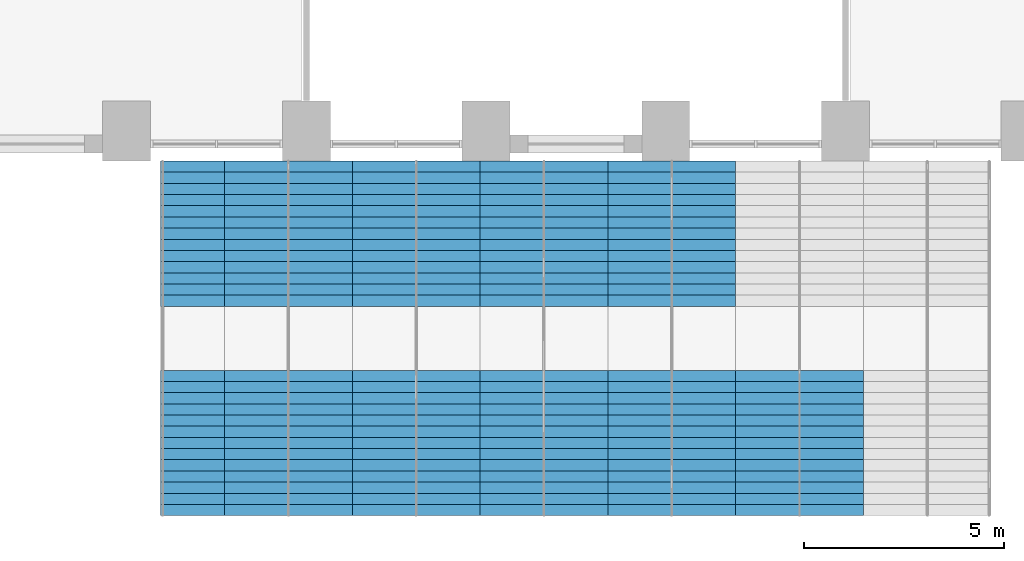
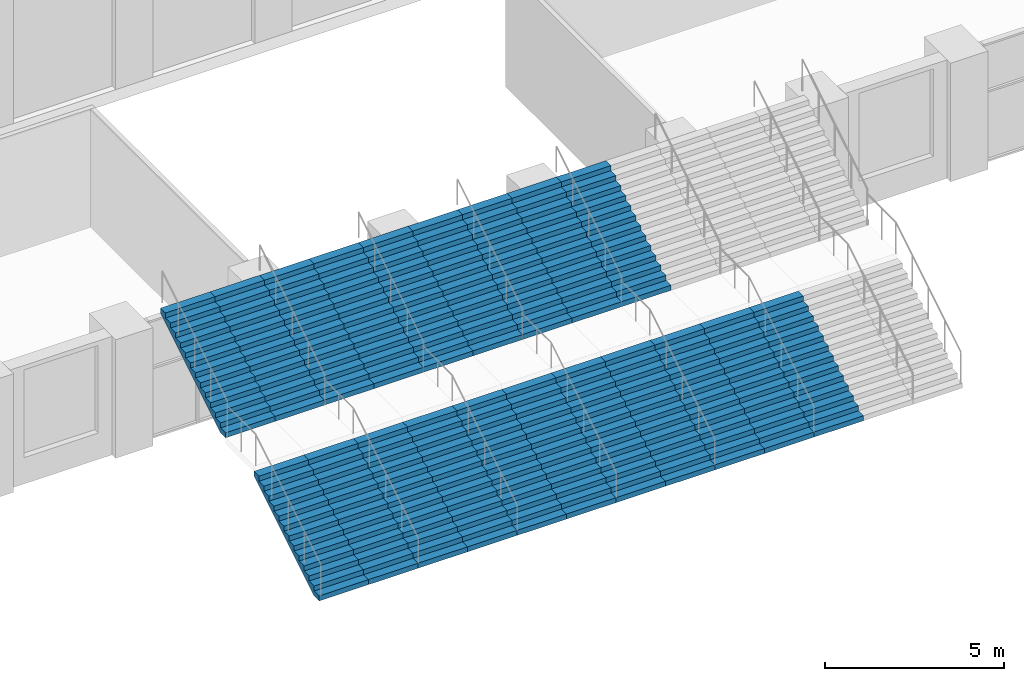
# One storey, part 29 of 42: 20 stair flights, 11 elements without a shape of their own.
"""IFC4 building model written with IfcOpenShell, lengths in metres."""

from ifc_helpers import new_model, si_unit, direction, frame, origin, place, context, subcontext, project, spatial, polyline, outline, extrude, material, type_object, element, aggregate, save


model = new_model("IFC4")

# Units and contexts
model_context = context("Model", 3, precision=1e-05, world=origin(), true_north=direction((0.0, 1.0)))
body_context = subcontext(model_context, "Body", "Model", "MODEL_VIEW")
ifc_project = project(units=[si_unit("LENGTHUNIT", "METRE"), si_unit("AREAUNIT", "SQUARE_METRE"), si_unit("VOLUMEUNIT", "CUBIC_METRE"), si_unit("PLANEANGLEUNIT", "RADIAN"), si_unit("MASSUNIT", "GRAM", prefix="KILO")], contexts=[model_context])

# Site, building, storey
site_placement = place(None, origin())
site = spatial("IfcSite", under=ifc_project, at=site_placement, CompositionType="ELEMENT")
building_placement = place(site_placement, origin())
building = spatial("IfcBuilding", under=site, at=building_placement, Name="Dhurran Vertical Campus", CompositionType="ELEMENT")
storey_placement = place(building_placement, frame((0.0, 0.0, 6.0)))
storey = spatial("IfcBuildingStorey", under=building, at=storey_placement, Name="L01", CompositionType="ELEMENT", Elevation=6.0)

# Stair, stair flights
ifc_material_1 = material(Name="Concrete C40/50", Category="concrete")
stair_type = type_object("IfcStairType", Name="st-broad stair straight 3 flights", PredefinedType="STRAIGHT_RUN_STAIR", material=ifc_material_1)
stair_1_placement = place(storey_placement, origin())
stair_1 = element("IfcStair", 1, at=stair_1_placement, inside=storey, type_object=stair_type, Name="Broad stair DS2-01 to the raised garden", PredefinedType="STRAIGHT_RUN_STAIR")
ifc_material_2 = material(Name="Concrete C40/50", Category="concrete")
stair_flight_type = type_object("IfcStairFlightType", Name="st-broad stair flight", PredefinedType="STRAIGHT", material=ifc_material_2)
stair_flight_1_placement = place(storey_placement, frame((-9.60009765625, -56.248291015625, 0.0), z_axis=(0.0, 0.0, 1.0), x_axis=(0.0, 1.0, 0.0)))
stair_flight_1 = element("IfcStairFlight", 2, at=stair_flight_1_placement, type_object=stair_flight_type, Name="DS2-01 flight 1", NumberOfRisers=14, NumberOfTreads=13, PredefinedType="STRAIGHT", RiserHeight=0.171428571, TreadLength=0.28, context=body_context, shape_type="SweptSolid", body=[
    extrude(outline(polyline([(0.0, 0.0), (0.0, 0.17138671875), (0.280029296875, 0.17138671875), (0.280029296875, 0.3427734375), (0.56005859375, 0.3427734375), (0.56005859375, 0.514404296875), (0.840087890625, 0.514404296875), (0.840087890625, 0.685791015625), (1.1201171875, 0.685791015625), (1.1201171875, 0.857177734375), (1.39990234375, 0.857177734375), (1.39990234375, 1.028564453125), (1.679931640625, 1.028564453125), (1.679931640625, 1.199951171875), (1.9599609375, 1.199951171875), (1.9599609375, 1.371337890625), (2.239990234375, 1.371337890625), (2.239990234375, 1.54296875), (2.52001953125, 1.54296875), (2.52001953125, 1.71435546875), (2.800048828125, 1.71435546875), (2.800048828125, 1.8857421875), (3.080078125, 1.8857421875), (3.080078125, 2.05712890625), (3.360107421875, 2.05712890625), (3.360107421875, 2.228515625), (3.639892578125, 2.228515625), (3.639892578125, 2.39990234375), (3.639892578125, 2.052734375), (0.287109375, 0.0), (0.0, 0.0)])), frame((0.0, 0.800048828125, 0.0), z_axis=(0.0, -1.0, 0.0), x_axis=(1.0, 0.0, 0.0)), (0.0, 0.0, 1.0), 1.60009765625),
])
stair_flight_2_placement = place(storey_placement, frame((-9.60009765625, -51.00830078125, 2.39990234375), z_axis=(0.0, 0.0, 1.0), x_axis=(0.0, 1.0, 0.0)))
stair_flight_2 = element("IfcStairFlight", 3, at=stair_flight_2_placement, type_object=stair_flight_type, Name="DS2-01 flight 2", NumberOfRisers=14, NumberOfTreads=13, PredefinedType="STRAIGHT", RiserHeight=0.171428571, TreadLength=0.28, context=body_context, shape_type="SweptSolid", body=[
    extrude(outline(polyline([(0.0, 0.0), (0.0, 0.17138671875), (0.280029296875, 0.17138671875), (0.280029296875, 0.3427734375), (0.56005859375, 0.3427734375), (0.56005859375, 0.514404296875), (0.840087890625, 0.514404296875), (0.840087890625, 0.685791015625), (1.1201171875, 0.685791015625), (1.1201171875, 0.857177734375), (1.39990234375, 0.857177734375), (1.39990234375, 1.028564453125), (1.679931640625, 1.028564453125), (1.679931640625, 1.199951171875), (1.9599609375, 1.199951171875), (1.9599609375, 1.371337890625), (2.239990234375, 1.371337890625), (2.239990234375, 1.54296875), (2.52001953125, 1.54296875), (2.52001953125, 1.71435546875), (2.800048828125, 1.71435546875), (2.800048828125, 1.8857421875), (3.080078125, 1.8857421875), (3.080078125, 2.05712890625), (3.360107421875, 2.05712890625), (3.360107421875, 2.228515625), (3.639892578125, 2.228515625), (3.639892578125, 2.39990234375), (3.639892578125, 2.052734375), (0.287109375, 0.0), (0.0, 0.0)])), frame((0.0, 0.800048828125, 0.0), z_axis=(0.0, -1.0, 0.0), x_axis=(1.0, 0.0, 0.0)), (0.0, 0.0, 1.0), 1.60009765625),
])
aggregate(stair_1, [stair_flight_1, stair_flight_2])

stair_2_placement = place(storey_placement, origin())
stair_2 = element("IfcStair", 4, at=stair_2_placement, inside=storey, type_object=stair_type, Name="Broad stair DS2-02 to the raised garden", PredefinedType="STRAIGHT_RUN_STAIR")
stair_flight_3_placement = place(storey_placement, frame((-8.0, -56.248291015625, 0.0), z_axis=(0.0, 0.0, 1.0), x_axis=(0.0, 1.0, 0.0)))
stair_flight_3 = element("IfcStairFlight", 5, at=stair_flight_3_placement, type_object=stair_flight_type, Name="DS2-02 flight 1", NumberOfRisers=14, NumberOfTreads=13, PredefinedType="STRAIGHT", RiserHeight=0.171428571, TreadLength=0.28, context=body_context, shape_type="SweptSolid", body=[
    extrude(outline(polyline([(0.0, 0.0), (0.0, 0.17138671875), (0.280029296875, 0.17138671875), (0.280029296875, 0.3427734375), (0.56005859375, 0.3427734375), (0.56005859375, 0.514404296875), (0.840087890625, 0.514404296875), (0.840087890625, 0.685791015625), (1.1201171875, 0.685791015625), (1.1201171875, 0.857177734375), (1.39990234375, 0.857177734375), (1.39990234375, 1.028564453125), (1.679931640625, 1.028564453125), (1.679931640625, 1.199951171875), (1.9599609375, 1.199951171875), (1.9599609375, 1.371337890625), (2.239990234375, 1.371337890625), (2.239990234375, 1.54296875), (2.52001953125, 1.54296875), (2.52001953125, 1.71435546875), (2.800048828125, 1.71435546875), (2.800048828125, 1.8857421875), (3.080078125, 1.8857421875), (3.080078125, 2.05712890625), (3.360107421875, 2.05712890625), (3.360107421875, 2.228515625), (3.639892578125, 2.228515625), (3.639892578125, 2.39990234375), (3.639892578125, 2.052734375), (0.287109375, 0.0), (0.0, 0.0)])), frame((0.0, 0.800048828125, 0.0), z_axis=(0.0, -1.0, 0.0), x_axis=(1.0, 0.0, 0.0)), (0.0, 0.0, 1.0), 1.60009765625),
])
stair_flight_4_placement = place(storey_placement, frame((-8.0, -51.00830078125, 2.39990234375), z_axis=(0.0, 0.0, 1.0), x_axis=(0.0, 1.0, 0.0)))
stair_flight_4 = element("IfcStairFlight", 6, at=stair_flight_4_placement, type_object=stair_flight_type, Name="DS2-02 flight 2", NumberOfRisers=14, NumberOfTreads=13, PredefinedType="STRAIGHT", RiserHeight=0.171428571, TreadLength=0.28, context=body_context, shape_type="SweptSolid", body=[
    extrude(outline(polyline([(0.0, 0.0), (0.0, 0.17138671875), (0.280029296875, 0.17138671875), (0.280029296875, 0.3427734375), (0.56005859375, 0.3427734375), (0.56005859375, 0.514404296875), (0.840087890625, 0.514404296875), (0.840087890625, 0.685791015625), (1.1201171875, 0.685791015625), (1.1201171875, 0.857177734375), (1.39990234375, 0.857177734375), (1.39990234375, 1.028564453125), (1.679931640625, 1.028564453125), (1.679931640625, 1.199951171875), (1.9599609375, 1.199951171875), (1.9599609375, 1.371337890625), (2.239990234375, 1.371337890625), (2.239990234375, 1.54296875), (2.52001953125, 1.54296875), (2.52001953125, 1.71435546875), (2.800048828125, 1.71435546875), (2.800048828125, 1.8857421875), (3.080078125, 1.8857421875), (3.080078125, 2.05712890625), (3.360107421875, 2.05712890625), (3.360107421875, 2.228515625), (3.639892578125, 2.228515625), (3.639892578125, 2.39990234375), (3.639892578125, 2.052734375), (0.287109375, 0.0), (0.0, 0.0)])), frame((0.0, 0.800048828125, 0.0), z_axis=(0.0, -1.0, 0.0), x_axis=(1.0, 0.0, 0.0)), (0.0, 0.0, 1.0), 1.60009765625),
])
aggregate(stair_2, [stair_flight_3, stair_flight_4])

stair_3_placement = place(storey_placement, origin())
stair_3 = element("IfcStair", 7, at=stair_3_placement, inside=storey, type_object=stair_type, Name="Broad stair DS2-03 to the raised garden", PredefinedType="STRAIGHT_RUN_STAIR")
stair_flight_5_placement = place(storey_placement, frame((-6.39990234375, -56.248291015625, 0.0), z_axis=(0.0, 0.0, 1.0), x_axis=(0.0, 1.0, 0.0)))
stair_flight_5 = element("IfcStairFlight", 8, at=stair_flight_5_placement, type_object=stair_flight_type, Name="DS2-03 flight 1", NumberOfRisers=14, NumberOfTreads=13, PredefinedType="STRAIGHT", RiserHeight=0.171428571, TreadLength=0.28, context=body_context, shape_type="SweptSolid", body=[
    extrude(outline(polyline([(0.0, 0.0), (0.0, 0.17138671875), (0.280029296875, 0.17138671875), (0.280029296875, 0.3427734375), (0.56005859375, 0.3427734375), (0.56005859375, 0.514404296875), (0.840087890625, 0.514404296875), (0.840087890625, 0.685791015625), (1.1201171875, 0.685791015625), (1.1201171875, 0.857177734375), (1.39990234375, 0.857177734375), (1.39990234375, 1.028564453125), (1.679931640625, 1.028564453125), (1.679931640625, 1.199951171875), (1.9599609375, 1.199951171875), (1.9599609375, 1.371337890625), (2.239990234375, 1.371337890625), (2.239990234375, 1.54296875), (2.52001953125, 1.54296875), (2.52001953125, 1.71435546875), (2.800048828125, 1.71435546875), (2.800048828125, 1.8857421875), (3.080078125, 1.8857421875), (3.080078125, 2.05712890625), (3.360107421875, 2.05712890625), (3.360107421875, 2.228515625), (3.639892578125, 2.228515625), (3.639892578125, 2.39990234375), (3.639892578125, 2.052734375), (0.287109375, 0.0), (0.0, 0.0)])), frame((0.0, 0.800048828125, 0.0), z_axis=(0.0, -1.0, 0.0), x_axis=(1.0, 0.0, 0.0)), (0.0, 0.0, 1.0), 1.60009765625),
])
stair_flight_6_placement = place(storey_placement, frame((-6.39990234375, -51.00830078125, 2.39990234375), z_axis=(0.0, 0.0, 1.0), x_axis=(0.0, 1.0, 0.0)))
stair_flight_6 = element("IfcStairFlight", 9, at=stair_flight_6_placement, type_object=stair_flight_type, Name="DS2-03 flight 2", NumberOfRisers=14, NumberOfTreads=13, PredefinedType="STRAIGHT", RiserHeight=0.171428571, TreadLength=0.28, context=body_context, shape_type="SweptSolid", body=[
    extrude(outline(polyline([(0.0, 0.0), (0.0, 0.17138671875), (0.280029296875, 0.17138671875), (0.280029296875, 0.3427734375), (0.56005859375, 0.3427734375), (0.56005859375, 0.514404296875), (0.840087890625, 0.514404296875), (0.840087890625, 0.685791015625), (1.1201171875, 0.685791015625), (1.1201171875, 0.857177734375), (1.39990234375, 0.857177734375), (1.39990234375, 1.028564453125), (1.679931640625, 1.028564453125), (1.679931640625, 1.199951171875), (1.9599609375, 1.199951171875), (1.9599609375, 1.371337890625), (2.239990234375, 1.371337890625), (2.239990234375, 1.54296875), (2.52001953125, 1.54296875), (2.52001953125, 1.71435546875), (2.800048828125, 1.71435546875), (2.800048828125, 1.8857421875), (3.080078125, 1.8857421875), (3.080078125, 2.05712890625), (3.360107421875, 2.05712890625), (3.360107421875, 2.228515625), (3.639892578125, 2.228515625), (3.639892578125, 2.39990234375), (3.639892578125, 2.052734375), (0.287109375, 0.0), (0.0, 0.0)])), frame((0.0, 0.800048828125, 0.0), z_axis=(0.0, -1.0, 0.0), x_axis=(1.0, 0.0, 0.0)), (0.0, 0.0, 1.0), 1.60009765625),
])
aggregate(stair_3, [stair_flight_5, stair_flight_6])

stair_4_placement = place(storey_placement, origin())
stair_4 = element("IfcStair", 10, at=stair_4_placement, inside=storey, type_object=stair_type, Name="Broad stair DS2-04 to the raised garden", PredefinedType="STRAIGHT_RUN_STAIR")
stair_flight_7_placement = place(storey_placement, frame((-4.800048828125, -56.248291015625, 0.0), z_axis=(0.0, 0.0, 1.0), x_axis=(0.0, 1.0, 0.0)))
stair_flight_7 = element("IfcStairFlight", 11, at=stair_flight_7_placement, type_object=stair_flight_type, Name="DS2-04 flight 1", NumberOfRisers=14, NumberOfTreads=13, PredefinedType="STRAIGHT", RiserHeight=0.171428571, TreadLength=0.28, context=body_context, shape_type="SweptSolid", body=[
    extrude(outline(polyline([(0.0, 0.0), (0.0, 0.17138671875), (0.280029296875, 0.17138671875), (0.280029296875, 0.3427734375), (0.56005859375, 0.3427734375), (0.56005859375, 0.514404296875), (0.840087890625, 0.514404296875), (0.840087890625, 0.685791015625), (1.1201171875, 0.685791015625), (1.1201171875, 0.857177734375), (1.39990234375, 0.857177734375), (1.39990234375, 1.028564453125), (1.679931640625, 1.028564453125), (1.679931640625, 1.199951171875), (1.9599609375, 1.199951171875), (1.9599609375, 1.371337890625), (2.239990234375, 1.371337890625), (2.239990234375, 1.54296875), (2.52001953125, 1.54296875), (2.52001953125, 1.71435546875), (2.800048828125, 1.71435546875), (2.800048828125, 1.8857421875), (3.080078125, 1.8857421875), (3.080078125, 2.05712890625), (3.360107421875, 2.05712890625), (3.360107421875, 2.228515625), (3.639892578125, 2.228515625), (3.639892578125, 2.39990234375), (3.639892578125, 2.052734375), (0.287109375, 0.0), (0.0, 0.0)])), frame((0.0, 0.800048828125, 0.0), z_axis=(0.0, -1.0, 0.0), x_axis=(1.0, 0.0, 0.0)), (0.0, 0.0, 1.0), 1.60009765625),
])
stair_flight_8_placement = place(storey_placement, frame((-4.800048828125, -51.00830078125, 2.39990234375), z_axis=(0.0, 0.0, 1.0), x_axis=(0.0, 1.0, 0.0)))
stair_flight_8 = element("IfcStairFlight", 12, at=stair_flight_8_placement, type_object=stair_flight_type, Name="DS2-04 flight 2", NumberOfRisers=14, NumberOfTreads=13, PredefinedType="STRAIGHT", RiserHeight=0.171428571, TreadLength=0.28, context=body_context, shape_type="SweptSolid", body=[
    extrude(outline(polyline([(0.0, 0.0), (0.0, 0.17138671875), (0.280029296875, 0.17138671875), (0.280029296875, 0.3427734375), (0.56005859375, 0.3427734375), (0.56005859375, 0.514404296875), (0.840087890625, 0.514404296875), (0.840087890625, 0.685791015625), (1.1201171875, 0.685791015625), (1.1201171875, 0.857177734375), (1.39990234375, 0.857177734375), (1.39990234375, 1.028564453125), (1.679931640625, 1.028564453125), (1.679931640625, 1.199951171875), (1.9599609375, 1.199951171875), (1.9599609375, 1.371337890625), (2.239990234375, 1.371337890625), (2.239990234375, 1.54296875), (2.52001953125, 1.54296875), (2.52001953125, 1.71435546875), (2.800048828125, 1.71435546875), (2.800048828125, 1.8857421875), (3.080078125, 1.8857421875), (3.080078125, 2.05712890625), (3.360107421875, 2.05712890625), (3.360107421875, 2.228515625), (3.639892578125, 2.228515625), (3.639892578125, 2.39990234375), (3.639892578125, 2.052734375), (0.287109375, 0.0), (0.0, 0.0)])), frame((0.0, 0.800048828125, 0.0), z_axis=(0.0, -1.0, 0.0), x_axis=(1.0, 0.0, 0.0)), (0.0, 0.0, 1.0), 1.60009765625),
])
aggregate(stair_4, [stair_flight_7, stair_flight_8])

stair_5_placement = place(storey_placement, origin())
stair_5 = element("IfcStair", 13, at=stair_5_placement, inside=storey, type_object=stair_type, Name="Broad stair DS2-05 to the raised garden", PredefinedType="STRAIGHT_RUN_STAIR")
stair_flight_9_placement = place(storey_placement, frame((-3.199951171875, -56.248291015625, 0.0), z_axis=(0.0, 0.0, 1.0), x_axis=(0.0, 1.0, 0.0)))
stair_flight_9 = element("IfcStairFlight", 14, at=stair_flight_9_placement, type_object=stair_flight_type, Name="DS2-05 flight 1", NumberOfRisers=14, NumberOfTreads=13, PredefinedType="STRAIGHT", RiserHeight=0.171428571, TreadLength=0.28, context=body_context, shape_type="SweptSolid", body=[
    extrude(outline(polyline([(0.0, 0.0), (0.0, 0.17138671875), (0.280029296875, 0.17138671875), (0.280029296875, 0.3427734375), (0.56005859375, 0.3427734375), (0.56005859375, 0.514404296875), (0.840087890625, 0.514404296875), (0.840087890625, 0.685791015625), (1.1201171875, 0.685791015625), (1.1201171875, 0.857177734375), (1.39990234375, 0.857177734375), (1.39990234375, 1.028564453125), (1.679931640625, 1.028564453125), (1.679931640625, 1.199951171875), (1.9599609375, 1.199951171875), (1.9599609375, 1.371337890625), (2.239990234375, 1.371337890625), (2.239990234375, 1.54296875), (2.52001953125, 1.54296875), (2.52001953125, 1.71435546875), (2.800048828125, 1.71435546875), (2.800048828125, 1.8857421875), (3.080078125, 1.8857421875), (3.080078125, 2.05712890625), (3.360107421875, 2.05712890625), (3.360107421875, 2.228515625), (3.639892578125, 2.228515625), (3.639892578125, 2.39990234375), (3.639892578125, 2.052734375), (0.287109375, 0.0), (0.0, 0.0)])), frame((0.0, 0.800048828125, 0.0), z_axis=(0.0, -1.0, 0.0), x_axis=(1.0, 0.0, 0.0)), (0.0, 0.0, 1.0), 1.60009765625),
])
stair_flight_10_placement = place(storey_placement, frame((-3.199951171875, -51.00830078125, 2.39990234375), z_axis=(0.0, 0.0, 1.0), x_axis=(0.0, 1.0, 0.0)))
stair_flight_10 = element("IfcStairFlight", 15, at=stair_flight_10_placement, type_object=stair_flight_type, Name="DS2-05 flight 2", NumberOfRisers=14, NumberOfTreads=13, PredefinedType="STRAIGHT", RiserHeight=0.171428571, TreadLength=0.28, context=body_context, shape_type="SweptSolid", body=[
    extrude(outline(polyline([(0.0, 0.0), (0.0, 0.17138671875), (0.280029296875, 0.17138671875), (0.280029296875, 0.3427734375), (0.56005859375, 0.3427734375), (0.56005859375, 0.514404296875), (0.840087890625, 0.514404296875), (0.840087890625, 0.685791015625), (1.1201171875, 0.685791015625), (1.1201171875, 0.857177734375), (1.39990234375, 0.857177734375), (1.39990234375, 1.028564453125), (1.679931640625, 1.028564453125), (1.679931640625, 1.199951171875), (1.9599609375, 1.199951171875), (1.9599609375, 1.371337890625), (2.239990234375, 1.371337890625), (2.239990234375, 1.54296875), (2.52001953125, 1.54296875), (2.52001953125, 1.71435546875), (2.800048828125, 1.71435546875), (2.800048828125, 1.8857421875), (3.080078125, 1.8857421875), (3.080078125, 2.05712890625), (3.360107421875, 2.05712890625), (3.360107421875, 2.228515625), (3.639892578125, 2.228515625), (3.639892578125, 2.39990234375), (3.639892578125, 2.052734375), (0.287109375, 0.0), (0.0, 0.0)])), frame((0.0, 0.800048828125, 0.0), z_axis=(0.0, -1.0, 0.0), x_axis=(1.0, 0.0, 0.0)), (0.0, 0.0, 1.0), 1.60009765625),
])
aggregate(stair_5, [stair_flight_9, stair_flight_10])

stair_6_placement = place(storey_placement, origin())
stair_6 = element("IfcStair", 16, at=stair_6_placement, inside=storey, type_object=stair_type, Name="Broad stair DS2-06 to the raised garden", PredefinedType="STRAIGHT_RUN_STAIR")
stair_flight_11_placement = place(storey_placement, frame((-1.60009765625, -56.248291015625, 0.0), z_axis=(0.0, 0.0, 1.0), x_axis=(0.0, 1.0, 0.0)))
stair_flight_11 = element("IfcStairFlight", 17, at=stair_flight_11_placement, type_object=stair_flight_type, Name="DS2-06 flight 1", NumberOfRisers=14, NumberOfTreads=13, PredefinedType="STRAIGHT", RiserHeight=0.171428571, TreadLength=0.28, context=body_context, shape_type="SweptSolid", body=[
    extrude(outline(polyline([(0.0, 0.0), (0.0, 0.17138671875), (0.280029296875, 0.17138671875), (0.280029296875, 0.3427734375), (0.56005859375, 0.3427734375), (0.56005859375, 0.514404296875), (0.840087890625, 0.514404296875), (0.840087890625, 0.685791015625), (1.1201171875, 0.685791015625), (1.1201171875, 0.857177734375), (1.39990234375, 0.857177734375), (1.39990234375, 1.028564453125), (1.679931640625, 1.028564453125), (1.679931640625, 1.199951171875), (1.9599609375, 1.199951171875), (1.9599609375, 1.371337890625), (2.239990234375, 1.371337890625), (2.239990234375, 1.54296875), (2.52001953125, 1.54296875), (2.52001953125, 1.71435546875), (2.800048828125, 1.71435546875), (2.800048828125, 1.8857421875), (3.080078125, 1.8857421875), (3.080078125, 2.05712890625), (3.360107421875, 2.05712890625), (3.360107421875, 2.228515625), (3.639892578125, 2.228515625), (3.639892578125, 2.39990234375), (3.639892578125, 2.052734375), (0.287109375, 0.0), (0.0, 0.0)])), frame((0.0, 0.800048828125, 0.0), z_axis=(0.0, -1.0, 0.0), x_axis=(1.0, 0.0, 0.0)), (0.0, 0.0, 1.0), 1.60009765625),
])
stair_flight_12_placement = place(storey_placement, frame((-1.60009765625, -51.00830078125, 2.39990234375), z_axis=(0.0, 0.0, 1.0), x_axis=(0.0, 1.0, 0.0)))
stair_flight_12 = element("IfcStairFlight", 18, at=stair_flight_12_placement, type_object=stair_flight_type, Name="DS2-06 flight 2", NumberOfRisers=14, NumberOfTreads=13, PredefinedType="STRAIGHT", RiserHeight=0.171428571, TreadLength=0.28, context=body_context, shape_type="SweptSolid", body=[
    extrude(outline(polyline([(0.0, 0.0), (0.0, 0.17138671875), (0.280029296875, 0.17138671875), (0.280029296875, 0.3427734375), (0.56005859375, 0.3427734375), (0.56005859375, 0.514404296875), (0.840087890625, 0.514404296875), (0.840087890625, 0.685791015625), (1.1201171875, 0.685791015625), (1.1201171875, 0.857177734375), (1.39990234375, 0.857177734375), (1.39990234375, 1.028564453125), (1.679931640625, 1.028564453125), (1.679931640625, 1.199951171875), (1.9599609375, 1.199951171875), (1.9599609375, 1.371337890625), (2.239990234375, 1.371337890625), (2.239990234375, 1.54296875), (2.52001953125, 1.54296875), (2.52001953125, 1.71435546875), (2.800048828125, 1.71435546875), (2.800048828125, 1.8857421875), (3.080078125, 1.8857421875), (3.080078125, 2.05712890625), (3.360107421875, 2.05712890625), (3.360107421875, 2.228515625), (3.639892578125, 2.228515625), (3.639892578125, 2.39990234375), (3.639892578125, 2.052734375), (0.287109375, 0.0), (0.0, 0.0)])), frame((0.0, 0.800048828125, 0.0), z_axis=(0.0, -1.0, 0.0), x_axis=(1.0, 0.0, 0.0)), (0.0, 0.0, 1.0), 1.60009765625),
])
aggregate(stair_6, [stair_flight_11, stair_flight_12])

stair_7_placement = place(storey_placement, origin())
stair_7 = element("IfcStair", 19, at=stair_7_placement, inside=storey, type_object=stair_type, Name="Broad stair DS2-07 to the raised garden", PredefinedType="STRAIGHT_RUN_STAIR")
stair_flight_13_placement = place(storey_placement, frame((0.0, -56.248291015625, 0.0), z_axis=(0.0, 0.0, 1.0), x_axis=(0.0, 1.0, 0.0)))
stair_flight_13 = element("IfcStairFlight", 20, at=stair_flight_13_placement, type_object=stair_flight_type, Name="DS2-07 flight 1", NumberOfRisers=14, NumberOfTreads=13, PredefinedType="STRAIGHT", RiserHeight=0.171428571, TreadLength=0.28, context=body_context, shape_type="SweptSolid", body=[
    extrude(outline(polyline([(0.0, 0.0), (0.0, 0.17138671875), (0.280029296875, 0.17138671875), (0.280029296875, 0.3427734375), (0.56005859375, 0.3427734375), (0.56005859375, 0.514404296875), (0.840087890625, 0.514404296875), (0.840087890625, 0.685791015625), (1.1201171875, 0.685791015625), (1.1201171875, 0.857177734375), (1.39990234375, 0.857177734375), (1.39990234375, 1.028564453125), (1.679931640625, 1.028564453125), (1.679931640625, 1.199951171875), (1.9599609375, 1.199951171875), (1.9599609375, 1.371337890625), (2.239990234375, 1.371337890625), (2.239990234375, 1.54296875), (2.52001953125, 1.54296875), (2.52001953125, 1.71435546875), (2.800048828125, 1.71435546875), (2.800048828125, 1.8857421875), (3.080078125, 1.8857421875), (3.080078125, 2.05712890625), (3.360107421875, 2.05712890625), (3.360107421875, 2.228515625), (3.639892578125, 2.228515625), (3.639892578125, 2.39990234375), (3.639892578125, 2.052734375), (0.287109375, 0.0), (0.0, 0.0)])), frame((0.0, 0.800048828125, 0.0), z_axis=(0.0, -1.0, 0.0), x_axis=(1.0, 0.0, 0.0)), (0.0, 0.0, 1.0), 1.60009765625),
])
stair_flight_14_placement = place(storey_placement, frame((0.0, -51.00830078125, 2.39990234375), z_axis=(0.0, 0.0, 1.0), x_axis=(0.0, 1.0, 0.0)))
stair_flight_14 = element("IfcStairFlight", 21, at=stair_flight_14_placement, type_object=stair_flight_type, Name="DS2-07 flight 2", NumberOfRisers=14, NumberOfTreads=13, PredefinedType="STRAIGHT", RiserHeight=0.171428571, TreadLength=0.28, context=body_context, shape_type="SweptSolid", body=[
    extrude(outline(polyline([(0.0, 0.0), (0.0, 0.17138671875), (0.280029296875, 0.17138671875), (0.280029296875, 0.3427734375), (0.56005859375, 0.3427734375), (0.56005859375, 0.514404296875), (0.840087890625, 0.514404296875), (0.840087890625, 0.685791015625), (1.1201171875, 0.685791015625), (1.1201171875, 0.857177734375), (1.39990234375, 0.857177734375), (1.39990234375, 1.028564453125), (1.679931640625, 1.028564453125), (1.679931640625, 1.199951171875), (1.9599609375, 1.199951171875), (1.9599609375, 1.371337890625), (2.239990234375, 1.371337890625), (2.239990234375, 1.54296875), (2.52001953125, 1.54296875), (2.52001953125, 1.71435546875), (2.800048828125, 1.71435546875), (2.800048828125, 1.8857421875), (3.080078125, 1.8857421875), (3.080078125, 2.05712890625), (3.360107421875, 2.05712890625), (3.360107421875, 2.228515625), (3.639892578125, 2.228515625), (3.639892578125, 2.39990234375), (3.639892578125, 2.052734375), (0.287109375, 0.0), (0.0, 0.0)])), frame((0.0, 0.800048828125, 0.0), z_axis=(0.0, -1.0, 0.0), x_axis=(1.0, 0.0, 0.0)), (0.0, 0.0, 1.0), 1.60009765625),
])
aggregate(stair_7, [stair_flight_13, stair_flight_14])

stair_8_placement = place(storey_placement, origin())
stair_8 = element("IfcStair", 22, at=stair_8_placement, inside=storey, type_object=stair_type, Name="Broad stair DS2-08 to the raised garden", PredefinedType="STRAIGHT_RUN_STAIR")
stair_flight_15_placement = place(storey_placement, frame((1.60009765625, -56.248291015625, 0.0), z_axis=(0.0, 0.0, 1.0), x_axis=(0.0, 1.0, 0.0)))
stair_flight_15 = element("IfcStairFlight", 23, at=stair_flight_15_placement, type_object=stair_flight_type, Name="DS2-08 flight 1", NumberOfRisers=14, NumberOfTreads=13, PredefinedType="STRAIGHT", RiserHeight=0.171428571, TreadLength=0.28, context=body_context, shape_type="SweptSolid", body=[
    extrude(outline(polyline([(0.0, 0.0), (0.0, 0.17138671875), (0.280029296875, 0.17138671875), (0.280029296875, 0.3427734375), (0.56005859375, 0.3427734375), (0.56005859375, 0.514404296875), (0.840087890625, 0.514404296875), (0.840087890625, 0.685791015625), (1.1201171875, 0.685791015625), (1.1201171875, 0.857177734375), (1.39990234375, 0.857177734375), (1.39990234375, 1.028564453125), (1.679931640625, 1.028564453125), (1.679931640625, 1.199951171875), (1.9599609375, 1.199951171875), (1.9599609375, 1.371337890625), (2.239990234375, 1.371337890625), (2.239990234375, 1.54296875), (2.52001953125, 1.54296875), (2.52001953125, 1.71435546875), (2.800048828125, 1.71435546875), (2.800048828125, 1.8857421875), (3.080078125, 1.8857421875), (3.080078125, 2.05712890625), (3.360107421875, 2.05712890625), (3.360107421875, 2.228515625), (3.639892578125, 2.228515625), (3.639892578125, 2.39990234375), (3.639892578125, 2.052734375), (0.287109375, 0.0), (0.0, 0.0)])), frame((0.0, 0.800048828125, 0.0), z_axis=(0.0, -1.0, 0.0), x_axis=(1.0, 0.0, 0.0)), (0.0, 0.0, 1.0), 1.60009765625),
])
stair_flight_16_placement = place(storey_placement, frame((1.60009765625, -51.00830078125, 2.39990234375), z_axis=(0.0, 0.0, 1.0), x_axis=(0.0, 1.0, 0.0)))
stair_flight_16 = element("IfcStairFlight", 24, at=stair_flight_16_placement, type_object=stair_flight_type, Name="DS2-08 flight 2", NumberOfRisers=14, NumberOfTreads=13, PredefinedType="STRAIGHT", RiserHeight=0.171428571, TreadLength=0.28, context=body_context, shape_type="SweptSolid", body=[
    extrude(outline(polyline([(0.0, 0.0), (0.0, 0.17138671875), (0.280029296875, 0.17138671875), (0.280029296875, 0.3427734375), (0.56005859375, 0.3427734375), (0.56005859375, 0.514404296875), (0.840087890625, 0.514404296875), (0.840087890625, 0.685791015625), (1.1201171875, 0.685791015625), (1.1201171875, 0.857177734375), (1.39990234375, 0.857177734375), (1.39990234375, 1.028564453125), (1.679931640625, 1.028564453125), (1.679931640625, 1.199951171875), (1.9599609375, 1.199951171875), (1.9599609375, 1.371337890625), (2.239990234375, 1.371337890625), (2.239990234375, 1.54296875), (2.52001953125, 1.54296875), (2.52001953125, 1.71435546875), (2.800048828125, 1.71435546875), (2.800048828125, 1.8857421875), (3.080078125, 1.8857421875), (3.080078125, 2.05712890625), (3.360107421875, 2.05712890625), (3.360107421875, 2.228515625), (3.639892578125, 2.228515625), (3.639892578125, 2.39990234375), (3.639892578125, 2.052734375), (0.287109375, 0.0), (0.0, 0.0)])), frame((0.0, 0.800048828125, 0.0), z_axis=(0.0, -1.0, 0.0), x_axis=(1.0, 0.0, 0.0)), (0.0, 0.0, 1.0), 1.60009765625),
])
aggregate(stair_8, [stair_flight_15, stair_flight_16])

stair_9_placement = place(storey_placement, origin())
stair_9 = element("IfcStair", 25, at=stair_9_placement, inside=storey, type_object=stair_type, Name="Broad stair DS2-09 to the raised garden", PredefinedType="STRAIGHT_RUN_STAIR")
stair_flight_17_placement = place(storey_placement, frame((3.199951171875, -56.248291015625, 0.0), z_axis=(0.0, 0.0, 1.0), x_axis=(0.0, 1.0, 0.0)))
stair_flight_17 = element("IfcStairFlight", 26, at=stair_flight_17_placement, type_object=stair_flight_type, Name="DS2-09 flight 1", NumberOfRisers=14, NumberOfTreads=13, PredefinedType="STRAIGHT", RiserHeight=0.171428571, TreadLength=0.28, context=body_context, shape_type="SweptSolid", body=[
    extrude(outline(polyline([(0.0, 0.0), (0.0, 0.17138671875), (0.280029296875, 0.17138671875), (0.280029296875, 0.3427734375), (0.56005859375, 0.3427734375), (0.56005859375, 0.514404296875), (0.840087890625, 0.514404296875), (0.840087890625, 0.685791015625), (1.1201171875, 0.685791015625), (1.1201171875, 0.857177734375), (1.39990234375, 0.857177734375), (1.39990234375, 1.028564453125), (1.679931640625, 1.028564453125), (1.679931640625, 1.199951171875), (1.9599609375, 1.199951171875), (1.9599609375, 1.371337890625), (2.239990234375, 1.371337890625), (2.239990234375, 1.54296875), (2.52001953125, 1.54296875), (2.52001953125, 1.71435546875), (2.800048828125, 1.71435546875), (2.800048828125, 1.8857421875), (3.080078125, 1.8857421875), (3.080078125, 2.05712890625), (3.360107421875, 2.05712890625), (3.360107421875, 2.228515625), (3.639892578125, 2.228515625), (3.639892578125, 2.39990234375), (3.639892578125, 2.052734375), (0.287109375, 0.0), (0.0, 0.0)])), frame((0.0, 0.800048828125, 0.0), z_axis=(0.0, -1.0, 0.0), x_axis=(1.0, 0.0, 0.0)), (0.0, 0.0, 1.0), 1.60009765625),
])
stair_flight_18_placement = place(storey_placement, frame((3.199951171875, -51.00830078125, 2.39990234375), z_axis=(0.0, 0.0, 1.0), x_axis=(0.0, 1.0, 0.0)))
stair_flight_18 = element("IfcStairFlight", 27, at=stair_flight_18_placement, type_object=stair_flight_type, Name="DS2-09 flight 2", NumberOfRisers=14, NumberOfTreads=13, PredefinedType="STRAIGHT", RiserHeight=0.171428571, TreadLength=0.28, context=body_context, shape_type="SweptSolid", body=[
    extrude(outline(polyline([(0.0, 0.0), (0.0, 0.17138671875), (0.280029296875, 0.17138671875), (0.280029296875, 0.3427734375), (0.56005859375, 0.3427734375), (0.56005859375, 0.514404296875), (0.840087890625, 0.514404296875), (0.840087890625, 0.685791015625), (1.1201171875, 0.685791015625), (1.1201171875, 0.857177734375), (1.39990234375, 0.857177734375), (1.39990234375, 1.028564453125), (1.679931640625, 1.028564453125), (1.679931640625, 1.199951171875), (1.9599609375, 1.199951171875), (1.9599609375, 1.371337890625), (2.239990234375, 1.371337890625), (2.239990234375, 1.54296875), (2.52001953125, 1.54296875), (2.52001953125, 1.71435546875), (2.800048828125, 1.71435546875), (2.800048828125, 1.8857421875), (3.080078125, 1.8857421875), (3.080078125, 2.05712890625), (3.360107421875, 2.05712890625), (3.360107421875, 2.228515625), (3.639892578125, 2.228515625), (3.639892578125, 2.39990234375), (3.639892578125, 2.052734375), (0.287109375, 0.0), (0.0, 0.0)])), frame((0.0, 0.800048828125, 0.0), z_axis=(0.0, -1.0, 0.0), x_axis=(1.0, 0.0, 0.0)), (0.0, 0.0, 1.0), 1.60009765625),
])
aggregate(stair_9, [stair_flight_17, stair_flight_18])

# Stair, stair flight
stair_10_placement = place(storey_placement, origin())
stair_10 = element("IfcStair", 28, at=stair_10_placement, inside=storey, type_object=stair_type, Name="Broad stair DS2-10 to the raised garden", PredefinedType="STRAIGHT_RUN_STAIR")
stair_flight_19_placement = place(storey_placement, frame((4.800048828125, -56.248291015625, 0.0), z_axis=(0.0, 0.0, 1.0), x_axis=(0.0, 1.0, 0.0)))
stair_flight_19 = element("IfcStairFlight", 29, at=stair_flight_19_placement, type_object=stair_flight_type, Name="DS2-10 flight 1", NumberOfRisers=14, NumberOfTreads=13, PredefinedType="STRAIGHT", RiserHeight=0.171428571, TreadLength=0.28, context=body_context, shape_type="SweptSolid", body=[
    extrude(outline(polyline([(0.0, 0.0), (0.0, 0.17138671875), (0.280029296875, 0.17138671875), (0.280029296875, 0.3427734375), (0.56005859375, 0.3427734375), (0.56005859375, 0.514404296875), (0.840087890625, 0.514404296875), (0.840087890625, 0.685791015625), (1.1201171875, 0.685791015625), (1.1201171875, 0.857177734375), (1.39990234375, 0.857177734375), (1.39990234375, 1.028564453125), (1.679931640625, 1.028564453125), (1.679931640625, 1.199951171875), (1.9599609375, 1.199951171875), (1.9599609375, 1.371337890625), (2.239990234375, 1.371337890625), (2.239990234375, 1.54296875), (2.52001953125, 1.54296875), (2.52001953125, 1.71435546875), (2.800048828125, 1.71435546875), (2.800048828125, 1.8857421875), (3.080078125, 1.8857421875), (3.080078125, 2.05712890625), (3.360107421875, 2.05712890625), (3.360107421875, 2.228515625), (3.639892578125, 2.228515625), (3.639892578125, 2.39990234375), (3.639892578125, 2.052734375), (0.287109375, 0.0), (0.0, 0.0)])), frame((0.0, 0.800048828125, 0.0), z_axis=(0.0, -1.0, 0.0), x_axis=(1.0, 0.0, 0.0)), (0.0, 0.0, 1.0), 1.60009765625),
])
aggregate(stair_10, [stair_flight_19])

stair_11_placement = place(storey_placement, origin())
stair_11 = element("IfcStair", 30, at=stair_11_placement, inside=storey, type_object=stair_type, Name="Broad stair DS2-11 to the raised garden", PredefinedType="STRAIGHT_RUN_STAIR")
stair_flight_20_placement = place(storey_placement, frame((6.39990234375, -56.248291015625, 0.0), z_axis=(0.0, 0.0, 1.0), x_axis=(0.0, 1.0, 0.0)))
stair_flight_20 = element("IfcStairFlight", 31, at=stair_flight_20_placement, type_object=stair_flight_type, Name="DS2-11 flight 1", NumberOfRisers=14, NumberOfTreads=13, PredefinedType="STRAIGHT", RiserHeight=0.171428571, TreadLength=0.28, context=body_context, shape_type="SweptSolid", body=[
    extrude(outline(polyline([(0.0, 0.0), (0.0, 0.17138671875), (0.280029296875, 0.17138671875), (0.280029296875, 0.3427734375), (0.56005859375, 0.3427734375), (0.56005859375, 0.514404296875), (0.840087890625, 0.514404296875), (0.840087890625, 0.685791015625), (1.1201171875, 0.685791015625), (1.1201171875, 0.857177734375), (1.39990234375, 0.857177734375), (1.39990234375, 1.028564453125), (1.679931640625, 1.028564453125), (1.679931640625, 1.199951171875), (1.9599609375, 1.199951171875), (1.9599609375, 1.371337890625), (2.239990234375, 1.371337890625), (2.239990234375, 1.54296875), (2.52001953125, 1.54296875), (2.52001953125, 1.71435546875), (2.800048828125, 1.71435546875), (2.800048828125, 1.8857421875), (3.080078125, 1.8857421875), (3.080078125, 2.05712890625), (3.360107421875, 2.05712890625), (3.360107421875, 2.228515625), (3.639892578125, 2.228515625), (3.639892578125, 2.39990234375), (3.639892578125, 2.052734375), (0.287109375, 0.0), (0.0, 0.0)])), frame((0.0, 0.800048828125, 0.0), z_axis=(0.0, -1.0, 0.0), x_axis=(1.0, 0.0, 0.0)), (0.0, 0.0, 1.0), 1.60009765625),
])
aggregate(stair_11, [stair_flight_20])

save(model, "model.ifc")
